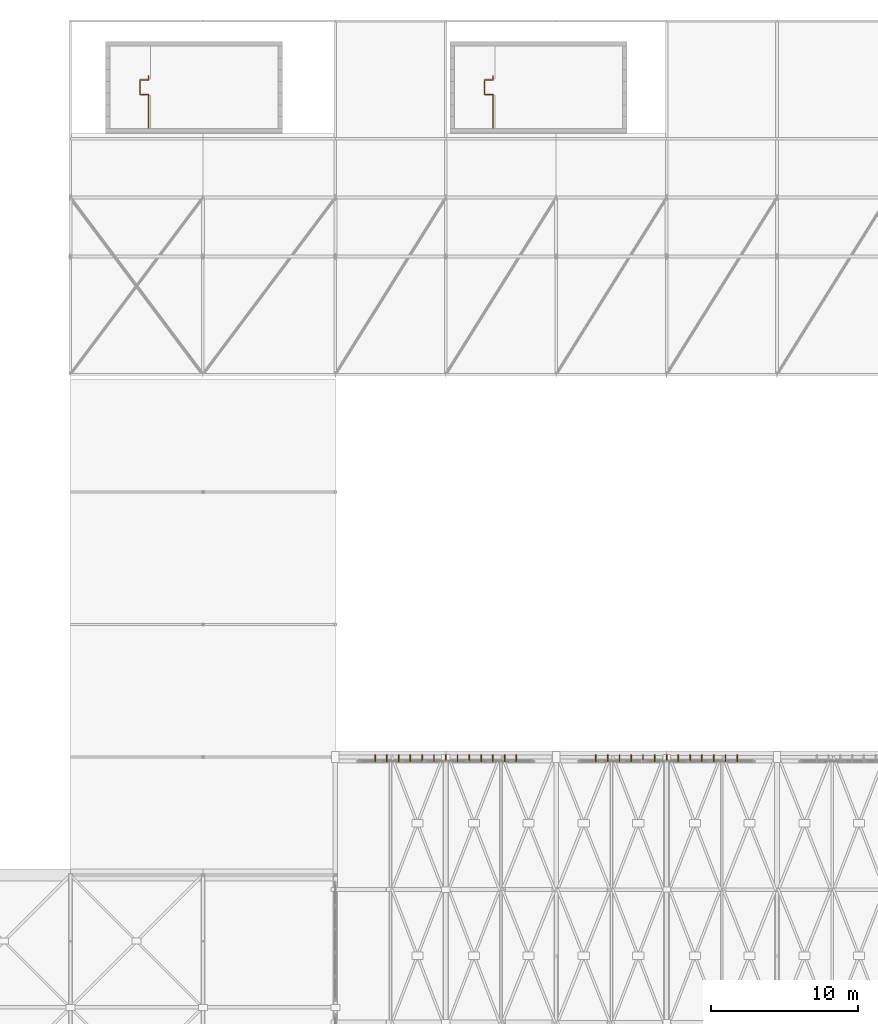
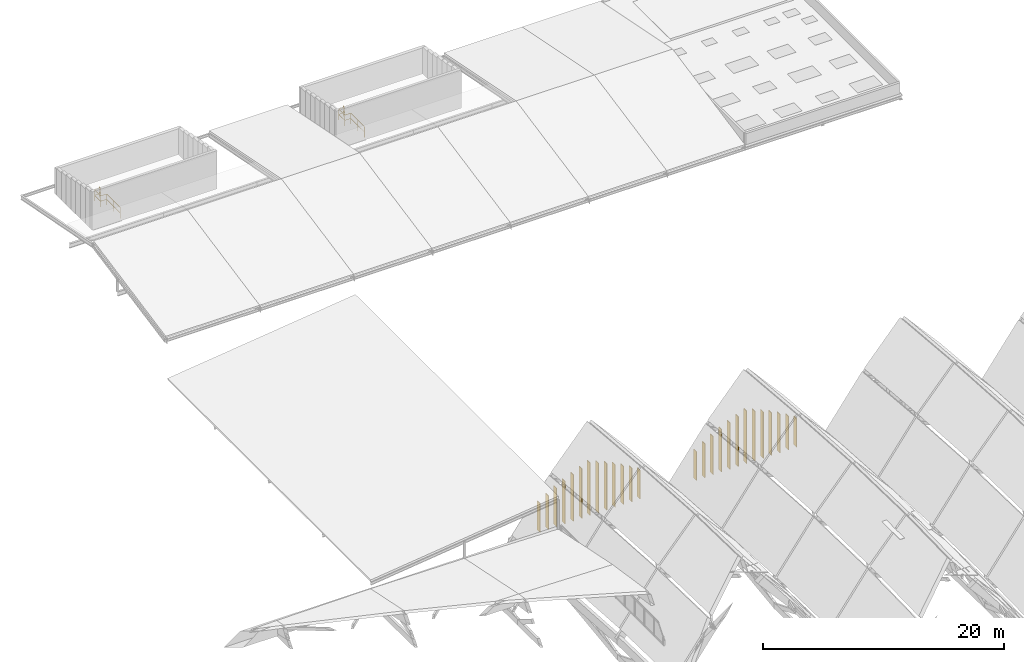
# One storey, part 89 of 93: 26 shading devices, 2 railings.
"""IFC4 building model written with IfcOpenShell, lengths in metres."""

from ifc_helpers import new_model, si_unit, direction, frame, origin, origin_2d, place, context, subcontext, project, spatial, rectangle, circle, extrude, material, material_profile, profile_set, type_object, element, save


model = new_model("IFC4")

# Units and contexts
model_context = context("Model", 3, precision=1e-05, world=origin(), true_north=direction((0.0, 1.0)))
body_context = subcontext(model_context, "Body", "Model", "MODEL_VIEW")
ifc_project = project(units=[si_unit("LENGTHUNIT", "METRE"), si_unit("AREAUNIT", "SQUARE_METRE"), si_unit("VOLUMEUNIT", "CUBIC_METRE"), si_unit("PLANEANGLEUNIT", "RADIAN"), si_unit("MASSUNIT", "GRAM", prefix="KILO")], contexts=[model_context])

# Site, building, storey
site_placement = place(None, origin())
site = spatial("IfcSite", under=ifc_project, at=site_placement, CompositionType="ELEMENT")
building_placement = place(site_placement, origin())
building = spatial("IfcBuilding", under=site, at=building_placement, Name="Vourika Railside Aquatics Centre", CompositionType="ELEMENT")
storey_placement = place(building_placement, frame((0.0, 0.0, 21.89990234375)))
storey = spatial("IfcBuildingStorey", under=building, at=storey_placement, Name="Roof", CompositionType="ELEMENT", Elevation=21.89990234375)

# Railings
ifc_material_1 = material(Name="Duplex stainless steel EN 1.4462", Category="steel")
railing_type = type_object("IfcRailingType", Name="RL-STAIR-1120", PredefinedType="BALUSTRADE", material=ifc_material_1)
railing_1_placement = place(storey_placement, frame((23.300048828125, 108.719970703125, 0.0)))
element("IfcRailing", 1, at=railing_1_placement, inside=storey, type_object=railing_type, Name="Protected Exit Stair Core ST01 Well Edge Guard (Roof)", PredefinedType="BALUSTRADE", context=body_context, shape_type="SweptSolid", body=[
    extrude(circle(Radius=0.02392578125, at=origin_2d()), frame((0.0, 0.0, 1.09619140625), z_axis=(0.0, 1.0, 0.0), x_axis=(-1.0, 0.0, 0.0)), (0.0, 0.0, 1.0), 2.280029296875),
    extrude(circle(Radius=0.02392578125, at=origin_2d()), frame((0.0, 0.0, 0.56005859375), z_axis=(0.0, 1.0, 0.0), x_axis=(-1.0, 0.0, 0.0)), (0.0, 0.0, 1.0), 2.280029296875),
    extrude(circle(Radius=0.02392578125, at=origin_2d()), frame((0.0, 2.280029296875, 1.09619140625), z_axis=(-1.0, 0.0, 0.0), x_axis=(0.0, -1.0, 0.0)), (0.0, 0.0, 1.0), 0.570068359375),
    extrude(circle(Radius=0.02392578125, at=origin_2d()), frame((0.0, 2.280029296875, 0.56005859375), z_axis=(-1.0, 0.0, 0.0), x_axis=(0.0, -1.0, 0.0)), (0.0, 0.0, 1.0), 0.570068359375),
    extrude(circle(Radius=0.02392578125, at=origin_2d()), frame((-0.570068359375, 2.280029296875, 1.09619140625), z_axis=(0.0, 1.0, 0.0), x_axis=(-1.0, 0.0, 0.0)), (0.0, 0.0, 1.0), 1.0),
    extrude(circle(Radius=0.02392578125, at=origin_2d()), frame((-0.570068359375, 2.280029296875, 0.56005859375), z_axis=(0.0, 1.0, 0.0), x_axis=(-1.0, 0.0, 0.0)), (0.0, 0.0, 1.0), 1.0),
    extrude(circle(Radius=0.02392578125, at=origin_2d()), frame((-0.570068359375, 3.280029296875, 1.09619140625), z_axis=(1.0, 0.0, 0.0), x_axis=(0.0, 1.0, 0.0)), (0.0, 0.0, 1.0), 0.570068359375),
    extrude(circle(Radius=0.02392578125, at=origin_2d()), frame((-0.570068359375, 3.280029296875, 0.56005859375), z_axis=(1.0, 0.0, 0.0), x_axis=(0.0, 1.0, 0.0)), (0.0, 0.0, 1.0), 0.570068359375),
    extrude(circle(Radius=0.02392578125, at=origin_2d()), frame((0.0, 3.280029296875, 1.09619140625), z_axis=(0.0, 1.0, 0.0), x_axis=(-1.0, 0.0, 0.0)), (0.0, 0.0, 1.0), 0.25),
    extrude(circle(Radius=0.02392578125, at=origin_2d()), frame((0.0, 3.280029296875, 0.56005859375), z_axis=(0.0, 1.0, 0.0), x_axis=(-1.0, 0.0, 0.0)), (0.0, 0.0, 1.0), 0.25),
    extrude(circle(Radius=0.02099609375, at=origin_2d()), origin(), (0.0, 0.0, 1.0), 1.072021484375),
    extrude(circle(Radius=0.02099609375, at=origin_2d()), frame((0.0, 1.14013671875, 0.0)), (0.0, 0.0, 1.0), 1.072021484375),
    extrude(circle(Radius=0.02099609375, at=origin_2d()), frame((0.0, 2.280029296875, 0.0)), (0.0, 0.0, 1.0), 1.072021484375),
    extrude(circle(Radius=0.02099609375, at=origin_2d()), frame((-0.570068359375, 2.280029296875, 0.0)), (0.0, 0.0, 1.0), 1.072021484375),
    extrude(circle(Radius=0.02099609375, at=origin_2d()), frame((-0.570068359375, 3.280029296875, 0.0)), (0.0, 0.0, 1.0), 1.072021484375),
    extrude(circle(Radius=0.02099609375, at=origin_2d()), frame((0.0, 3.280029296875, 0.0)), (0.0, 0.0, 1.0), 1.072021484375),
    extrude(circle(Radius=0.02099609375, at=origin_2d()), frame((0.0, 3.530029296875, 0.0)), (0.0, 0.0, 1.0), 1.072021484375),
])
railing_2_placement = place(storey_placement, frame((46.699951171875, 108.719970703125, 0.0)))
element("IfcRailing", 2, at=railing_2_placement, inside=storey, type_object=railing_type, Name="Protected Exit Stair Core ST02 Well Edge Guard (Roof)", PredefinedType="BALUSTRADE", context=body_context, shape_type="SweptSolid", body=[
    extrude(circle(Radius=0.02392578125, at=origin_2d()), frame((0.0, 0.0, 1.09619140625), z_axis=(0.0, 1.0, 0.0), x_axis=(-1.0, 0.0, 0.0)), (0.0, 0.0, 1.0), 2.280029296875),
    extrude(circle(Radius=0.02392578125, at=origin_2d()), frame((0.0, 0.0, 0.56005859375), z_axis=(0.0, 1.0, 0.0), x_axis=(-1.0, 0.0, 0.0)), (0.0, 0.0, 1.0), 2.280029296875),
    extrude(circle(Radius=0.02392578125, at=origin_2d()), frame((0.0, 2.280029296875, 1.09619140625), z_axis=(-1.0, 0.0, 0.0), x_axis=(0.0, -1.0, 0.0)), (0.0, 0.0, 1.0), 0.570068359375),
    extrude(circle(Radius=0.02392578125, at=origin_2d()), frame((0.0, 2.280029296875, 0.56005859375), z_axis=(-1.0, 0.0, 0.0), x_axis=(0.0, -1.0, 0.0)), (0.0, 0.0, 1.0), 0.570068359375),
    extrude(circle(Radius=0.02392578125, at=origin_2d()), frame((-0.570068359375, 2.280029296875, 1.09619140625), z_axis=(0.0, 1.0, 0.0), x_axis=(-1.0, 0.0, 0.0)), (0.0, 0.0, 1.0), 1.0),
    extrude(circle(Radius=0.02392578125, at=origin_2d()), frame((-0.570068359375, 2.280029296875, 0.56005859375), z_axis=(0.0, 1.0, 0.0), x_axis=(-1.0, 0.0, 0.0)), (0.0, 0.0, 1.0), 1.0),
    extrude(circle(Radius=0.02392578125, at=origin_2d()), frame((-0.570068359375, 3.280029296875, 1.09619140625), z_axis=(1.0, 0.0, 0.0), x_axis=(0.0, 1.0, 0.0)), (0.0, 0.0, 1.0), 0.570068359375),
    extrude(circle(Radius=0.02392578125, at=origin_2d()), frame((-0.570068359375, 3.280029296875, 0.56005859375), z_axis=(1.0, 0.0, 0.0), x_axis=(0.0, 1.0, 0.0)), (0.0, 0.0, 1.0), 0.570068359375),
    extrude(circle(Radius=0.02392578125, at=origin_2d()), frame((0.0, 3.280029296875, 1.09619140625), z_axis=(0.0, 1.0, 0.0), x_axis=(-1.0, 0.0, 0.0)), (0.0, 0.0, 1.0), 0.25),
    extrude(circle(Radius=0.02392578125, at=origin_2d()), frame((0.0, 3.280029296875, 0.56005859375), z_axis=(0.0, 1.0, 0.0), x_axis=(-1.0, 0.0, 0.0)), (0.0, 0.0, 1.0), 0.25),
    extrude(circle(Radius=0.02099609375, at=origin_2d()), origin(), (0.0, 0.0, 1.0), 1.072021484375),
    extrude(circle(Radius=0.02099609375, at=origin_2d()), frame((0.0, 1.14013671875, 0.0)), (0.0, 0.0, 1.0), 1.072021484375),
    extrude(circle(Radius=0.02099609375, at=origin_2d()), frame((0.0, 2.280029296875, 0.0)), (0.0, 0.0, 1.0), 1.072021484375),
    extrude(circle(Radius=0.02099609375, at=origin_2d()), frame((-0.570068359375, 2.280029296875, 0.0)), (0.0, 0.0, 1.0), 1.072021484375),
    extrude(circle(Radius=0.02099609375, at=origin_2d()), frame((-0.570068359375, 3.280029296875, 0.0)), (0.0, 0.0, 1.0), 1.072021484375),
    extrude(circle(Radius=0.02099609375, at=origin_2d()), frame((0.0, 3.280029296875, 0.0)), (0.0, 0.0, 1.0), 1.072021484375),
    extrude(circle(Radius=0.02099609375, at=origin_2d()), frame((0.0, 3.530029296875, 0.0)), (0.0, 0.0, 1.0), 1.072021484375),
])

# Shading devices
ifc_material_2 = material(Name="Bronze-anodized extruded aluminium", Category="aluminium")
ifc_material_profile_1 = material_profile(ifc_material_2, rectangle(XDim=0.06005859375, YDim=0.47998046875, at=origin_2d()), Name="ALU-FIN 60x480")
ifc_profile_set_1 = profile_set([ifc_material_profile_1], Name="Bronze-anodized extruded aluminium")
shading_device_type_1 = type_object("IfcShadingDeviceType", Name="SHD-FIN-F48A", PredefinedType="USERDEFINED", material=ifc_profile_set_1)
shading_device_1_placement = place(storey_placement, frame((38.699951171875, 65.93505859375, -11.099853515625), z_axis=(0.0, 0.0, 1.0), x_axis=(1.0, 0.0, 0.0)))
element("IfcShadingDevice", 3, at=shading_device_1_placement, inside=storey, type_object=shading_device_type_1, Name="Vertical Solar Fin VSF-0001", ObjectType="FIN", PredefinedType="USERDEFINED", context=body_context, shape_type="SweptSolid", body=[
    extrude(rectangle(XDim=0.06005859375, YDim=0.47998046875, at=origin_2d()), origin(), (0.0, 0.0, 1.0), 2.906005859375),
])
shading_device_2_placement = place(storey_placement, frame((39.5, 65.93505859375, -11.099853515625), z_axis=(0.0, 0.0, 1.0), x_axis=(1.0, 0.0, 0.0)))
element("IfcShadingDevice", 4, at=shading_device_2_placement, inside=storey, type_object=shading_device_type_1, Name="Vertical Solar Fin VSF-0002", ObjectType="FIN", PredefinedType="USERDEFINED", context=body_context, shape_type="SweptSolid", body=[
    extrude(rectangle(XDim=0.06005859375, YDim=0.47998046875, at=origin_2d()), origin(), (0.0, 0.0, 1.0), 3.416015625),
])
for number, where, z_axis, x_axis, name in (
    (5, (40.300048828125, 65.93505859375, -11.099853515625), (0.0, 0.0, 1.0), (1.0, 0.0, 0.0), "Vertical Solar Fin VSF-0003"),
    (6, (46.699951171875, 65.93505859375, -11.099853515625), (0.0, 0.0, 1.0), (1.0, 0.0, 0.0), "Vertical Solar Fin VSF-0011"),
):
    element("IfcShadingDevice", number, at=place(storey_placement, frame(where, z_axis=z_axis, x_axis=x_axis)), inside=storey, type_object=shading_device_type_1, Name=name, ObjectType="FIN", PredefinedType="USERDEFINED", context=body_context, shape_type="SweptSolid", body=[
        extrude(rectangle(XDim=0.06005859375, YDim=0.47998046875, at=origin_2d()), origin(), (0.0, 0.0, 1.0), 3.885009765625),
    ])
shading_device_3_placement = place(storey_placement, frame((47.5, 65.93505859375, -11.099853515625), z_axis=(0.0, 0.0, 1.0), x_axis=(1.0, 0.0, 0.0)))
element("IfcShadingDevice", 7, at=shading_device_3_placement, inside=storey, type_object=shading_device_type_1, Name="Vertical Solar Fin VSF-0012", ObjectType="FIN", PredefinedType="USERDEFINED", context=body_context, shape_type="SweptSolid", body=[
    extrude(rectangle(XDim=0.06005859375, YDim=0.47998046875, at=origin_2d()), origin(), (0.0, 0.0, 1.0), 3.416015625),
])
for number, where, z_axis, x_axis, name in (
    (8, (48.300048828125, 65.93505859375, -11.099853515625), (0.0, 0.0, 1.0), (1.0, 0.0, 0.0), "Vertical Solar Fin VSF-0013"),
    (9, (53.699951171875, 65.93505859375, -11.099853515625), (0.0, 0.0, 1.0), (1.0, 0.0, 0.0), "Vertical Solar Fin VSF-0027"),
):
    element("IfcShadingDevice", number, at=place(storey_placement, frame(where, z_axis=z_axis, x_axis=x_axis)), inside=storey, type_object=shading_device_type_1, Name=name, ObjectType="FIN", PredefinedType="USERDEFINED", context=body_context, shape_type="SweptSolid", body=[
        extrude(rectangle(XDim=0.06005859375, YDim=0.47998046875, at=origin_2d()), origin(), (0.0, 0.0, 1.0), 2.906005859375),
    ])
shading_device_4_placement = place(storey_placement, frame((54.5, 65.93505859375, -11.099853515625), z_axis=(0.0, 0.0, 1.0), x_axis=(1.0, 0.0, 0.0)))
element("IfcShadingDevice", 10, at=shading_device_4_placement, inside=storey, type_object=shading_device_type_1, Name="Vertical Solar Fin VSF-0028", ObjectType="FIN", PredefinedType="USERDEFINED", context=body_context, shape_type="SweptSolid", body=[
    extrude(rectangle(XDim=0.06005859375, YDim=0.47998046875, at=origin_2d()), origin(), (0.0, 0.0, 1.0), 3.416015625),
])
for number, where, z_axis, x_axis, name in (
    (11, (55.300048828125, 65.93505859375, -11.099853515625), (0.0, 0.0, 1.0), (1.0, 0.0, 0.0), "Vertical Solar Fin VSF-0029"),
    (12, (61.699951171875, 65.93505859375, -11.099853515625), (0.0, 0.0, 1.0), (1.0, 0.0, 0.0), "Vertical Solar Fin VSF-0037"),
):
    element("IfcShadingDevice", number, at=place(storey_placement, frame(where, z_axis=z_axis, x_axis=x_axis)), inside=storey, type_object=shading_device_type_1, Name=name, ObjectType="FIN", PredefinedType="USERDEFINED", context=body_context, shape_type="SweptSolid", body=[
        extrude(rectangle(XDim=0.06005859375, YDim=0.47998046875, at=origin_2d()), origin(), (0.0, 0.0, 1.0), 3.885009765625),
    ])
shading_device_5_placement = place(storey_placement, frame((62.5, 65.93505859375, -11.099853515625), z_axis=(0.0, 0.0, 1.0), x_axis=(1.0, 0.0, 0.0)))
element("IfcShadingDevice", 13, at=shading_device_5_placement, inside=storey, type_object=shading_device_type_1, Name="Vertical Solar Fin VSF-0038", ObjectType="FIN", PredefinedType="USERDEFINED", context=body_context, shape_type="SweptSolid", body=[
    extrude(rectangle(XDim=0.06005859375, YDim=0.47998046875, at=origin_2d()), origin(), (0.0, 0.0, 1.0), 3.416015625),
])
shading_device_6_placement = place(storey_placement, frame((63.300048828125, 65.93505859375, -11.099853515625), z_axis=(0.0, 0.0, 1.0), x_axis=(1.0, 0.0, 0.0)))
element("IfcShadingDevice", 14, at=shading_device_6_placement, inside=storey, type_object=shading_device_type_1, Name="Vertical Solar Fin VSF-0039", ObjectType="FIN", PredefinedType="USERDEFINED", context=body_context, shape_type="SweptSolid", body=[
    extrude(rectangle(XDim=0.06005859375, YDim=0.47998046875, at=origin_2d()), origin(), (0.0, 0.0, 1.0), 2.906005859375),
])
ifc_material_profile_2 = material_profile(ifc_material_2, rectangle(XDim=0.06005859375, YDim=0.47998046875, at=origin_2d()), Name="ALU-FIN 60x480")
ifc_profile_set_2 = profile_set([ifc_material_profile_2], Name="Bronze-anodized extruded aluminium")
shading_device_type_2 = type_object("IfcShadingDeviceType", Name="SHD-FIN-F48B", PredefinedType="USERDEFINED", material=ifc_profile_set_2)
shading_device_7_placement = place(storey_placement, frame((41.10009765625, 65.93505859375, -11.099853515625), z_axis=(0.0, 0.0, 1.0), x_axis=(1.0, 0.0, 0.0)))
element("IfcShadingDevice", 15, at=shading_device_7_placement, inside=storey, type_object=shading_device_type_2, Name="Vertical Solar Fin VSF-0004", ObjectType="FIN", PredefinedType="USERDEFINED", context=body_context, shape_type="SweptSolid", body=[
    extrude(rectangle(XDim=0.06005859375, YDim=0.47998046875, at=origin_2d()), origin(), (0.0, 0.0, 1.0), 4.31298828125),
])
shading_device_8_placement = place(storey_placement, frame((41.89990234375, 65.93505859375, -11.099853515625), z_axis=(0.0, 0.0, 1.0), x_axis=(1.0, 0.0, 0.0)))
element("IfcShadingDevice", 16, at=shading_device_8_placement, inside=storey, type_object=shading_device_type_2, Name="Vertical Solar Fin VSF-0005", ObjectType="FIN", PredefinedType="USERDEFINED", context=body_context, shape_type="SweptSolid", body=[
    extrude(rectangle(XDim=0.06005859375, YDim=0.47998046875, at=origin_2d()), origin(), (0.0, 0.0, 1.0), 4.699951171875),
])
for number, where, z_axis, x_axis, name in (
    (17, (42.699951171875, 65.93505859375, -11.099853515625), (0.0, 0.0, 1.0), (1.0, 0.0, 0.0), "Vertical Solar Fin VSF-0006"),
    (18, (44.300048828125, 65.93505859375, -11.099853515625), (0.0, 0.0, 1.0), (1.0, 0.0, 0.0), "Vertical Solar Fin VSF-0008"),
):
    element("IfcShadingDevice", number, at=place(storey_placement, frame(where, z_axis=z_axis, x_axis=x_axis)), inside=storey, type_object=shading_device_type_2, Name=name, ObjectType="FIN", PredefinedType="USERDEFINED", context=body_context, shape_type="SweptSolid", body=[
        extrude(rectangle(XDim=0.06005859375, YDim=0.47998046875, at=origin_2d()), origin(), (0.0, 0.0, 1.0), 5.044921875),
    ])
shading_device_9_placement = place(storey_placement, frame((45.10009765625, 65.93505859375, -11.099853515625), z_axis=(0.0, 0.0, 1.0), x_axis=(1.0, 0.0, 0.0)))
element("IfcShadingDevice", 19, at=shading_device_9_placement, inside=storey, type_object=shading_device_type_2, Name="Vertical Solar Fin VSF-0009", ObjectType="FIN", PredefinedType="USERDEFINED", context=body_context, shape_type="SweptSolid", body=[
    extrude(rectangle(XDim=0.06005859375, YDim=0.47998046875, at=origin_2d()), origin(), (0.0, 0.0, 1.0), 4.699951171875),
])
for number, where, z_axis, x_axis, name in (
    (20, (45.89990234375, 65.93505859375, -11.099853515625), (0.0, 0.0, 1.0), (1.0, 0.0, 0.0), "Vertical Solar Fin VSF-0010"),
    (21, (56.10009765625, 65.93505859375, -11.099853515625), (0.0, 0.0, 1.0), (1.0, 0.0, 0.0), "Vertical Solar Fin VSF-0030"),
):
    element("IfcShadingDevice", number, at=place(storey_placement, frame(where, z_axis=z_axis, x_axis=x_axis)), inside=storey, type_object=shading_device_type_2, Name=name, ObjectType="FIN", PredefinedType="USERDEFINED", context=body_context, shape_type="SweptSolid", body=[
        extrude(rectangle(XDim=0.06005859375, YDim=0.47998046875, at=origin_2d()), origin(), (0.0, 0.0, 1.0), 4.31298828125),
    ])
shading_device_10_placement = place(storey_placement, frame((56.89990234375, 65.93505859375, -11.099853515625), z_axis=(0.0, 0.0, 1.0), x_axis=(1.0, 0.0, 0.0)))
element("IfcShadingDevice", 22, at=shading_device_10_placement, inside=storey, type_object=shading_device_type_2, Name="Vertical Solar Fin VSF-0031", ObjectType="FIN", PredefinedType="USERDEFINED", context=body_context, shape_type="SweptSolid", body=[
    extrude(rectangle(XDim=0.06005859375, YDim=0.47998046875, at=origin_2d()), origin(), (0.0, 0.0, 1.0), 4.699951171875),
])
for number, where, z_axis, x_axis, name in (
    (23, (57.699951171875, 65.93505859375, -11.099853515625), (0.0, 0.0, 1.0), (1.0, 0.0, 0.0), "Vertical Solar Fin VSF-0032"),
    (24, (59.300048828125, 65.93505859375, -11.099853515625), (0.0, 0.0, 1.0), (1.0, 0.0, 0.0), "Vertical Solar Fin VSF-0034"),
):
    element("IfcShadingDevice", number, at=place(storey_placement, frame(where, z_axis=z_axis, x_axis=x_axis)), inside=storey, type_object=shading_device_type_2, Name=name, ObjectType="FIN", PredefinedType="USERDEFINED", context=body_context, shape_type="SweptSolid", body=[
        extrude(rectangle(XDim=0.06005859375, YDim=0.47998046875, at=origin_2d()), origin(), (0.0, 0.0, 1.0), 5.044921875),
    ])
shading_device_11_placement = place(storey_placement, frame((60.10009765625, 65.93505859375, -11.099853515625), z_axis=(0.0, 0.0, 1.0), x_axis=(1.0, 0.0, 0.0)))
element("IfcShadingDevice", 25, at=shading_device_11_placement, inside=storey, type_object=shading_device_type_2, Name="Vertical Solar Fin VSF-0035", ObjectType="FIN", PredefinedType="USERDEFINED", context=body_context, shape_type="SweptSolid", body=[
    extrude(rectangle(XDim=0.06005859375, YDim=0.47998046875, at=origin_2d()), origin(), (0.0, 0.0, 1.0), 4.699951171875),
])
shading_device_12_placement = place(storey_placement, frame((60.89990234375, 65.93505859375, -11.099853515625), z_axis=(0.0, 0.0, 1.0), x_axis=(1.0, 0.0, 0.0)))
element("IfcShadingDevice", 26, at=shading_device_12_placement, inside=storey, type_object=shading_device_type_2, Name="Vertical Solar Fin VSF-0036", ObjectType="FIN", PredefinedType="USERDEFINED", context=body_context, shape_type="SweptSolid", body=[
    extrude(rectangle(XDim=0.06005859375, YDim=0.47998046875, at=origin_2d()), origin(), (0.0, 0.0, 1.0), 4.31298828125),
])
ifc_material_profile_3 = material_profile(ifc_material_2, rectangle(XDim=0.06005859375, YDim=0.47998046875, at=origin_2d()), Name="ALU-FIN 60x480")
ifc_profile_set_3 = profile_set([ifc_material_profile_3], Name="Bronze-anodized extruded aluminium")
shading_device_type_3 = type_object("IfcShadingDeviceType", Name="SHD-FIN-F48C", PredefinedType="USERDEFINED", material=ifc_profile_set_3)
for number, where, z_axis, x_axis, name in (
    (27, (43.5, 65.93505859375, -11.099853515625), (0.0, 0.0, 1.0), (1.0, 0.0, 0.0), "Vertical Solar Fin VSF-0007"),
    (28, (58.5, 65.93505859375, -11.099853515625), (0.0, 0.0, 1.0), (1.0, 0.0, 0.0), "Vertical Solar Fin VSF-0033"),
):
    element("IfcShadingDevice", number, at=place(storey_placement, frame(where, z_axis=z_axis, x_axis=x_axis)), inside=storey, type_object=shading_device_type_3, Name=name, ObjectType="FIN", PredefinedType="USERDEFINED", context=body_context, shape_type="SweptSolid", body=[
        extrude(rectangle(XDim=0.06005859375, YDim=0.47998046875, at=origin_2d()), origin(), (0.0, 0.0, 1.0), 5.349853515625),
    ])

save(model, "model.ifc")
